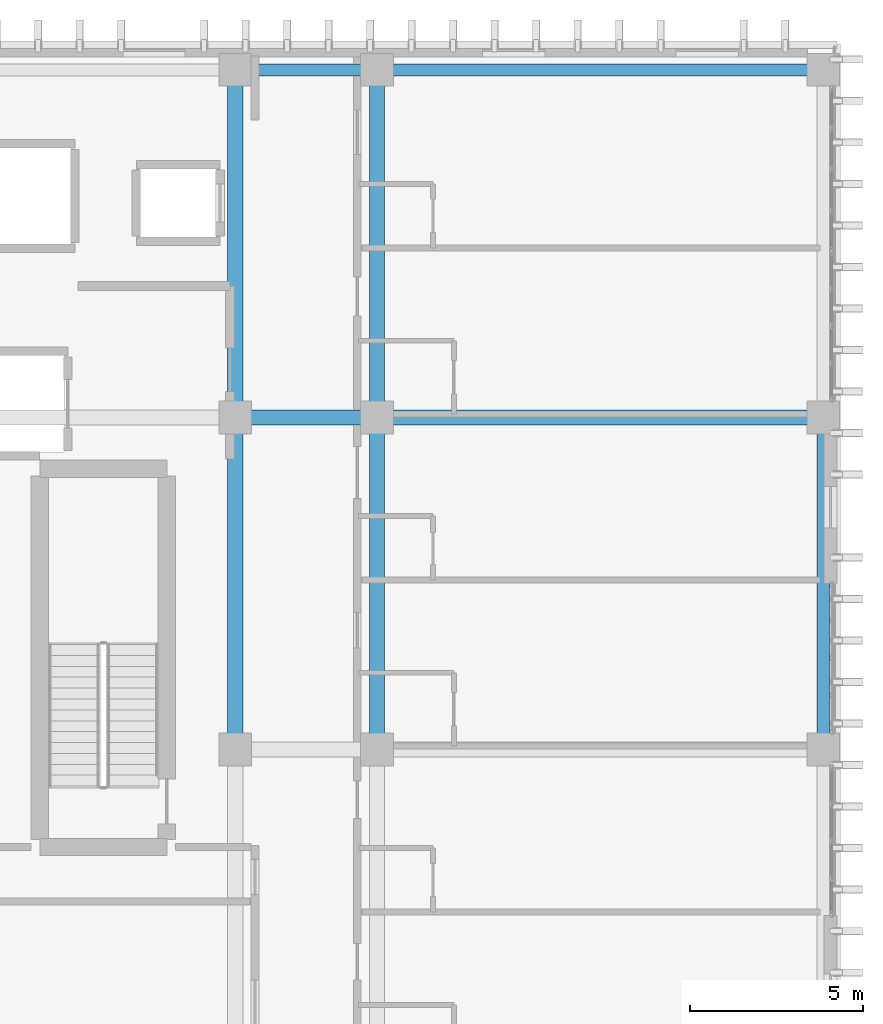
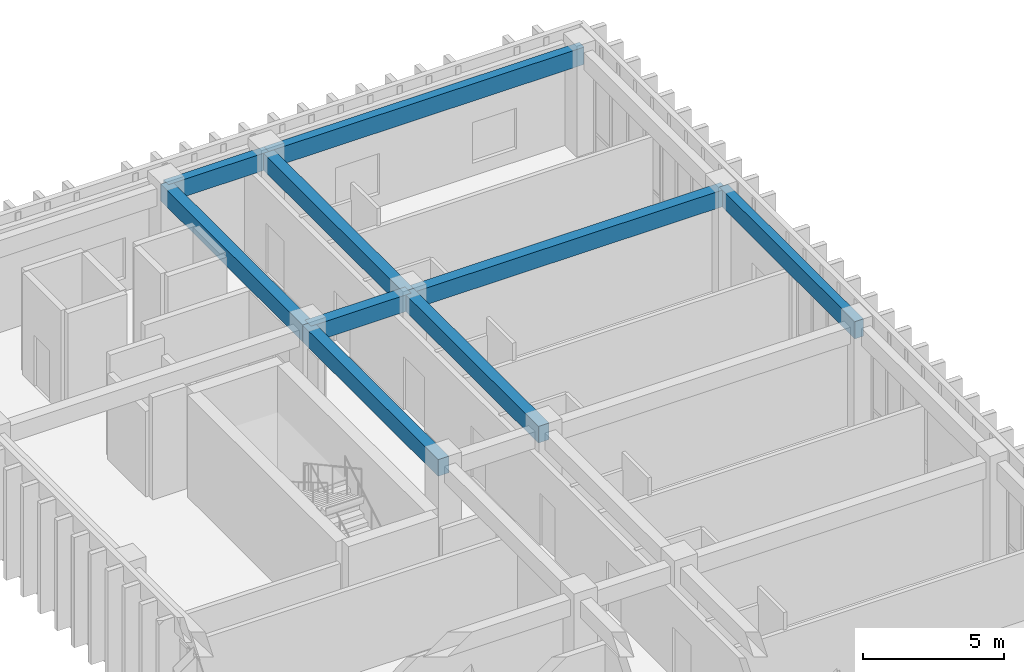
# One storey, part 82 of 133: 9 beams.
"""IFC4 building model written with IfcOpenShell, lengths in metres."""

import ifcopenshell
import ifcopenshell.guid

model = None  # the IFC model being written
_history = None  # IfcOwnerHistory: only IFC2X3 demands one
_inside = {}  # id of a spatial element -> (the spatial element, [elements in it])
_under = {}  # id of a project, library or spatial element -> (it, [spatial elements below it])
_declared = {}  # id of a project -> (the project, [libraries it declares])
_typed = {}  # id of a type object -> (the type object, [elements of that type])
_made_of = {}  # id of a material, layer set ... -> (it, [elements and type objects made of it])


def new_model(schema):
    """Start an empty IFC model of exactly this schema.

    Asked for "IFC4X3", IfcOpenShell would pick the latest addendum, in which some entities
    have other attributes; the version numbers below select the first issue.
    IFC2X3 requires an IfcOwnerHistory on every rooted entity: one is made here for all.
    """
    global model, _history
    if schema == "IFC4X3":
        model = ifcopenshell.file(schema_version=(4, 3, 0, 0))
    else:
        model = ifcopenshell.file(schema=schema)
    _inside.clear()
    _under.clear()
    _declared.clear()
    _typed.clear()
    _made_of.clear()
    _history = None
    if model.schema == "IFC2X3":
        org = make("IfcOrganization", Name="unknown")
        user = make(
            "IfcPersonAndOrganization",
            ThePerson=make("IfcPerson", FamilyName="unknown"),
            TheOrganization=org,
        )
        app = make(
            "IfcApplication",
            ApplicationDeveloper=org,
            Version="unknown",
            ApplicationFullName="unknown",
            ApplicationIdentifier="unknown",
        )
        _history = make(
            "IfcOwnerHistory",
            OwningUser=user,
            OwningApplication=app,
            ChangeAction="ADDED",
            CreationDate=0,
        )
    return model


def make(cls, **values):
    """One entity of the class cls with the attributes given. An attribute that is None is left unset."""
    return model.create_entity(
        cls, **{name: value for name, value in values.items() if value is not None}
    )


def rooted(cls, **values):
    """An entity with a GlobalId (a new one), such as an element, a storey or a relation."""
    return make(cls, GlobalId=ifcopenshell.guid.new(), OwnerHistory=_history, **values)


def si_unit(unit_type, name, prefix=None):
    """IfcSIUnit, for example si_unit("LENGTHUNIT", "METRE", prefix="MILLI")."""
    return make("IfcSIUnit", UnitType=unit_type, Prefix=prefix, Name=name)


def assignment(units):
    """IfcUnitAssignment: the units of a project."""
    return None if units is None else make("IfcUnitAssignment", Units=units)


def point(xyz):
    """IfcCartesianPoint."""
    return None if xyz is None else make("IfcCartesianPoint", Coordinates=xyz)


def direction(xyz):
    """IfcDirection."""
    return None if xyz is None else make("IfcDirection", DirectionRatios=xyz)


def frame(location, z_axis=None, x_axis=None):
    """IfcAxis2Placement3D, a coordinate frame: its origin and axes. An axis left out is left unset."""
    return make(
        "IfcAxis2Placement3D",
        Location=point(location),
        Axis=direction(z_axis),
        RefDirection=direction(x_axis),
    )


def frame_2d(location, x_axis=None):
    """IfcAxis2Placement2D, a coordinate frame in the plane: its origin and x axis."""
    return make(
        "IfcAxis2Placement2D", Location=point(location), RefDirection=direction(x_axis)
    )


def origin():
    """The frame at (0, 0, 0) with its axes left unset."""
    return frame((0.0, 0.0, 0.0))


def origin_2d():
    """The frame at (0, 0) in the plane with its x axis left unset."""
    return frame_2d((0.0, 0.0))


def place(relative_to, where):
    """IfcLocalPlacement: puts the frame where relative to a parent placement (None: the world)."""
    return make(
        "IfcLocalPlacement", PlacementRelTo=relative_to, RelativePlacement=where
    )


def context(
    kind, dimensions, precision=None, world=None, true_north=None, identifier=None
):
    """IfcGeometricRepresentationContext, for example the 3D "Model" context."""
    return make(
        "IfcGeometricRepresentationContext",
        ContextIdentifier=identifier,
        ContextType=kind,
        CoordinateSpaceDimension=dimensions,
        Precision=precision,
        WorldCoordinateSystem=world,
        TrueNorth=true_north,
    )


def subcontext(parent, identifier, kind, view, scale=None):
    """IfcGeometricRepresentationSubContext, for example "Body" below "Model"."""
    return make(
        "IfcGeometricRepresentationSubContext",
        ContextIdentifier=identifier,
        ContextType=kind,
        ParentContext=parent,
        TargetScale=scale,
        TargetView=view,
    )


def project(units=None, contexts=None):
    """IfcProject with its units and contexts."""
    return rooted(
        "IfcProject",
        Name="project",
        RepresentationContexts=contexts,
        UnitsInContext=assignment(units),
    )


def spatial(cls, under=None, at=None, **own):
    """A site, building, storey or space (cls), placed at a placement, below another one or the project."""
    s = rooted(cls, ObjectPlacement=at, **own)
    if under is not None:
        _under.setdefault(under.id(), (under, []))[1].append(s)
    return s


def profile(cls, at=None, kind="AREA", **sizes):
    """A parametric profile (cls). Its sizes go by their IFC names, for example OverallWidth=200.0."""
    return make(cls, ProfileType=kind, Position=at, **sizes)


def rectangle(**sizes):
    """IfcRectangleProfileDef."""
    return profile("IfcRectangleProfileDef", **sizes)


def extrude(swept, where, along, depth):
    """IfcExtrudedAreaSolid: the profile swept, set in the frame where, extruded along a direction by depth."""
    return make(
        "IfcExtrudedAreaSolid",
        SweptArea=swept,
        Position=where,
        ExtrudedDirection=direction(along),
        Depth=depth,
    )


def shape(context_of_items, identifier, shape_type, items):
    """IfcShapeRepresentation: the items that make up one representation, for example the "Body"."""
    return make(
        "IfcShapeRepresentation",
        ContextOfItems=context_of_items,
        RepresentationIdentifier=identifier,
        RepresentationType=shape_type,
        Items=items,
    )


def material(Name=None, Category=None):
    """IfcMaterial."""
    return make("IfcMaterial", Name=Name, Category=Category)


def material_profile(
    of_material, cross_section, Name=None, Category=None, Priority=None
):
    """IfcMaterialProfile: a cross section and its material."""
    return make(
        "IfcMaterialProfile",
        Name=Name,
        Material=of_material,
        Profile=cross_section,
        Priority=Priority,
        Category=Category,
    )


def profile_set(profiles, Name=None, composite=None):
    """IfcMaterialProfileSet."""
    return make(
        "IfcMaterialProfileSet",
        Name=Name,
        MaterialProfiles=profiles,
        CompositeProfile=composite,
    )


def made_of(thing, what):
    """Note that an element or type object is made of a material, layer set ...; save() writes the relation."""
    if what is not None:
        _made_of.setdefault(what.id(), (what, []))[1].append(thing)
    return thing


def type_object(cls, material=None, **own):
    """A type object (cls), such as IfcWallType, which elements share."""
    return made_of(rooted(cls, **own), material)


def element(
    cls,
    number,
    at=None,
    inside=None,
    cuts=None,
    type_object=None,
    material=None,
    context=None,
    identifier="Body",
    shape_type=None,
    held_by="IfcProductDefinitionShape",
    body=None,
    shapes=None,
    **own,
):
    """One element of the class cls, such as IfcWall. Its Tag is "e" and its number.

    at: its placement. inside: the storey or other place that contains it. cuts: it is an
    opening in that element (IfcRelVoidsElement). A single representation is given by context,
    identifier, shape_type and body (its items); several are given by shapes. held_by: the class
    of the entity that holds the representations. save() writes the other relations.
    """
    e = rooted(cls, Tag="e%d" % number, ObjectPlacement=at, **own)
    if body is not None:
        shapes = [shape(context, identifier, shape_type, body)]
    if shapes is not None:
        e.Representation = make(held_by, Representations=shapes)
    if inside is not None:
        _inside.setdefault(inside.id(), (inside, []))[1].append(e)
    if cuts is not None:
        rooted(
            "IfcRelVoidsElement", RelatingBuildingElement=cuts, RelatedOpeningElement=e
        )
    if type_object is not None:
        _typed.setdefault(type_object.id(), (type_object, []))[1].append(e)
    return made_of(e, material)


def aggregate(whole, parts):
    """IfcRelAggregates: a whole, such as a stair, and the parts it consists of."""
    return rooted("IfcRelAggregates", RelatingObject=whole, RelatedObjects=parts)


def save(model, path):
    """Write the relations noted so far, then the file.

    IfcRelAggregates (storeys below a building ...), IfcRelContainedInSpatialStructure (elements
    in a storey), IfcRelDefinesByType, IfcRelAssociatesMaterial and IfcRelDeclares: one each for
    every whole, place, type object, material and project.
    """
    for whole, parts in _under.values():
        aggregate(whole, parts)
    for where, things in _inside.values():
        rooted(
            "IfcRelContainedInSpatialStructure",
            RelatedElements=things,
            RelatingStructure=where,
        )
    for kind, things in _typed.values():
        rooted("IfcRelDefinesByType", RelatedObjects=things, RelatingType=kind)
    for what, things in _made_of.values():
        rooted("IfcRelAssociatesMaterial", RelatedObjects=things, RelatingMaterial=what)
    for by, libraries in _declared.values():
        rooted("IfcRelDeclares", RelatingContext=by, RelatedDefinitions=libraries)
    model.write(path)


model = new_model("IFC4")

# Units and contexts
model_context = context("Model", 3, precision=1e-05, world=origin(), true_north=direction((0.0, 1.0)))
body_context = subcontext(model_context, "Body", "Model", "MODEL_VIEW")
ifc_project = project(units=[si_unit("LENGTHUNIT", "METRE"), si_unit("AREAUNIT", "SQUARE_METRE"), si_unit("VOLUMEUNIT", "CUBIC_METRE"), si_unit("PLANEANGLEUNIT", "RADIAN"), si_unit("MASSUNIT", "GRAM", prefix="KILO")], contexts=[model_context])

# Site, building, storey
site_placement = place(None, origin())
site = spatial("IfcSite", under=ifc_project, at=site_placement, CompositionType="ELEMENT")
building_placement = place(site_placement, origin())
building = spatial("IfcBuilding", under=site, at=building_placement, Name="Nakhvara Creek Congress Hotel", CompositionType="ELEMENT")
storey_placement = place(building_placement, frame((0.0, 0.0, 11.39990234375)))
storey = spatial("IfcBuildingStorey", under=building, at=storey_placement, Name="L02", CompositionType="ELEMENT", Elevation=11.39990234375)

# Beams
ifc_material = material(Name="Concrete C40/50", Category="concrete")
ifc_material_profile_1 = material_profile(ifc_material, rectangle(XDim=0.43994140625, YDim=0.719970703125, at=origin_2d()), Name="RC-BM 440x720", Category="LoadBearing")
ifc_profile_set_1 = profile_set([ifc_material_profile_1], Name="Concrete C40/50")
beam_type_1 = type_object("IfcBeamType", Name="BM-RC-440X720", PredefinedType="BEAM", material=ifc_profile_set_1)
beam_1_placement = place(storey_placement, frame((162.35009765625, 105.60009765625, 4.06005859375), z_axis=(0.0, 1.0, 0.0), x_axis=(-1.0, 0.0, 0.0)))
element("IfcBeam", 1, at=beam_1_placement, inside=storey, type_object=beam_type_1, Name="Beam B12-L02-1621", PredefinedType="BEAM", context=body_context, shape_type="SweptSolid", body=[
    extrude(rectangle(XDim=0.43994140625, YDim=0.719970703125, at=origin_2d()), origin(), (0.0, 0.0, 1.0), 9.599853515625),
])
beam_2_placement = place(storey_placement, frame((162.35009765625, 115.199951171875, 4.06005859375), z_axis=(0.0, 1.0, 0.0), x_axis=(-1.0, 0.0, 0.0)))
element("IfcBeam", 2, at=beam_2_placement, inside=storey, type_object=beam_type_1, Name="Beam B12-L02-1623", PredefinedType="BEAM", context=body_context, shape_type="SweptSolid", body=[
    extrude(rectangle(XDim=0.43994140625, YDim=0.719970703125, at=origin_2d()), origin(), (0.0, 0.0, 1.0), 10.050048828125),
])
beam_3_placement = place(storey_placement, frame((162.35009765625, 115.199951171875, 4.06005859375), z_axis=(1.0, 0.0, 0.0), x_axis=(0.0, 1.0, 0.0)))
element("IfcBeam", 3, at=beam_3_placement, inside=storey, type_object=beam_type_1, Name="Beam B12-L02-1624", PredefinedType="BEAM", context=body_context, shape_type="SweptSolid", body=[
    extrude(rectangle(XDim=0.43994140625, YDim=0.719970703125, at=origin_2d()), origin(), (0.0, 0.0, 1.0), 4.099853515625),
])
beam_4_placement = place(storey_placement, frame((166.449951171875, 105.60009765625, 4.06005859375), z_axis=(0.0, 1.0, 0.0), x_axis=(-1.0, 0.0, 0.0)))
element("IfcBeam", 4, at=beam_4_placement, inside=storey, type_object=beam_type_1, Name="Beam B12-L02-1646", PredefinedType="BEAM", context=body_context, shape_type="SweptSolid", body=[
    extrude(rectangle(XDim=0.43994140625, YDim=0.719970703125, at=origin_2d()), origin(), (0.0, 0.0, 1.0), 9.599853515625),
])
beam_5_placement = place(storey_placement, frame((166.449951171875, 115.199951171875, 4.06005859375), z_axis=(0.0, 1.0, 0.0), x_axis=(-1.0, 0.0, 0.0)))
element("IfcBeam", 5, at=beam_5_placement, inside=storey, type_object=beam_type_1, Name="Beam B12-L02-1648", PredefinedType="BEAM", context=body_context, shape_type="SweptSolid", body=[
    extrude(rectangle(XDim=0.43994140625, YDim=0.719970703125, at=origin_2d()), origin(), (0.0, 0.0, 1.0), 10.050048828125),
])
beam_6_placement = place(storey_placement, frame((166.449951171875, 115.199951171875, 4.06005859375), z_axis=(1.0, 0.0, 0.0), x_axis=(0.0, 1.0, 0.0)))
element("IfcBeam", 6, at=beam_6_placement, inside=storey, type_object=beam_type_1, Name="Beam B12-L02-1649", PredefinedType="BEAM", context=body_context, shape_type="SweptSolid", body=[
    extrude(rectangle(XDim=0.43994140625, YDim=0.719970703125, at=origin_2d()), origin(), (0.0, 0.0, 1.0), 12.900146484375),
])
ifc_material_profile_2 = material_profile(ifc_material, rectangle(XDim=0.35009765625, YDim=0.75, at=origin_2d()), Name="RC-SPANDREL 350x750", Category="LoadBearing")
ifc_profile_set_2 = profile_set([ifc_material_profile_2], Name="Concrete C40/50")
beam_type_2 = type_object("IfcBeamType", Name="BM-SPN-350X750", PredefinedType="SPANDREL", material=ifc_profile_set_2)
beam_7_placement = place(storey_placement, frame((162.35009765625, 125.25, 4.045166015625), z_axis=(1.0, 0.0, 0.0), x_axis=(0.0, 1.0, 0.0)))
element("IfcBeam", 7, at=beam_7_placement, inside=storey, type_object=beam_type_2, Name="Beam SP1-L02-1625", PredefinedType="SPANDREL", context=body_context, shape_type="SweptSolid", body=[
    extrude(rectangle(XDim=0.35009765625, YDim=0.75, at=origin_2d()), origin(), (0.0, 0.0, 1.0), 4.099853515625),
])
beam_8_placement = place(storey_placement, frame((166.449951171875, 125.25, 4.045166015625), z_axis=(1.0, 0.0, 0.0), x_axis=(0.0, 1.0, 0.0)))
element("IfcBeam", 8, at=beam_8_placement, inside=storey, type_object=beam_type_2, Name="Beam SP1-L02-1650", PredefinedType="SPANDREL", context=body_context, shape_type="SweptSolid", body=[
    extrude(rectangle(XDim=0.35009765625, YDim=0.75, at=origin_2d()), origin(), (0.0, 0.0, 1.0), 12.900146484375),
])
beam_9_placement = place(storey_placement, frame((179.35009765625, 105.60009765625, 4.045166015625), z_axis=(0.0, 1.0, 0.0), x_axis=(-1.0, 0.0, 0.0)))
element("IfcBeam", 9, at=beam_9_placement, inside=storey, type_object=beam_type_2, Name="Beam SP1-L02-1662", PredefinedType="SPANDREL", context=body_context, shape_type="SweptSolid", body=[
    extrude(rectangle(XDim=0.35009765625, YDim=0.75, at=origin_2d()), origin(), (0.0, 0.0, 1.0), 9.599853515625),
])

save(model, "model.ifc")
